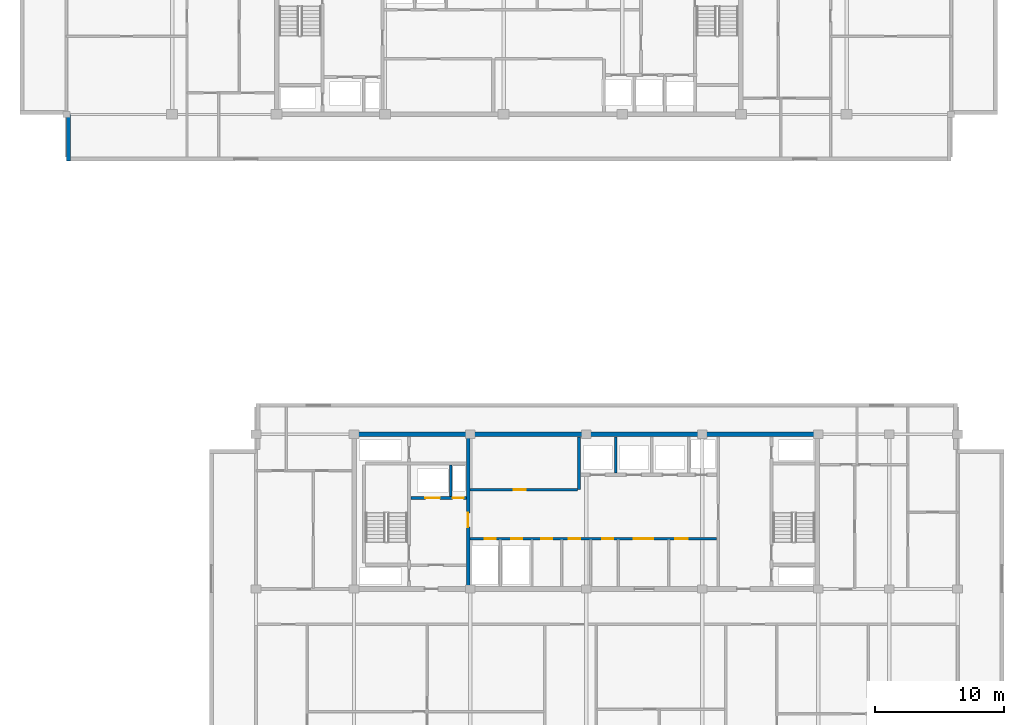
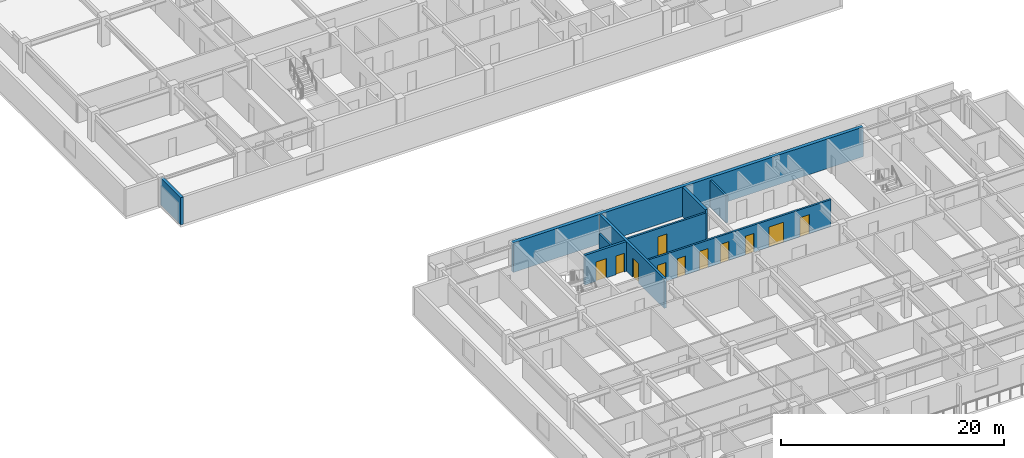
# One storey, part 7 of 22: 11 doors, 9 walls, 11 openings.
"""IFC4 building model written with IfcOpenShell, lengths in metres."""

from ifc_helpers import new_model, si_unit, direction, frame, frame_2d, origin, place, context, subcontext, project, spatial, rectangle, extrude, material, layer, layer_set, type_object, element, fill, save


model = new_model("IFC4")

# Units and contexts
model_context = context("Model", 3, precision=1e-05, world=origin(), true_north=direction((0.0, 1.0)))
body_context = subcontext(model_context, "Body", "Model", "MODEL_VIEW")
ifc_project = project(units=[si_unit("LENGTHUNIT", "METRE"), si_unit("AREAUNIT", "SQUARE_METRE"), si_unit("VOLUMEUNIT", "CUBIC_METRE"), si_unit("PLANEANGLEUNIT", "RADIAN"), si_unit("MASSUNIT", "GRAM", prefix="KILO")], contexts=[model_context])

# Site, building, storey
site_placement = place(None, origin())
site = spatial("IfcSite", under=ifc_project, at=site_placement, CompositionType="ELEMENT")
building_placement = place(site_placement, origin())
building = spatial("IfcBuilding", under=site, at=building_placement, Name="Korimba Cascade Residences", CompositionType="ELEMENT")
storey_placement = place(building_placement, frame((0.0, 0.0, 197.85009765625)))
storey = spatial("IfcBuildingStorey", under=building, at=storey_placement, Name="L57", CompositionType="ELEMENT", Elevation=197.85009765625)

# Walls
ifc_material_1 = material(Name="Precast concrete C40/50", Category="concrete")
ifc_layer_1 = layer(ifc_material_1, 0.300048828125)
ifc_layer_set_1 = layer_set([ifc_layer_1], Name="Precast concrete C40/50")
wall_type_1 = type_object("IfcWallType", Name="EW-STONE-300", PredefinedType="STANDARD", material=ifc_layer_set_1)
wall_1_placement = place(storey_placement, frame((59.949951171875, 55.199951171875, 0.0), z_axis=(0.0, 0.0, 1.0), x_axis=(0.0, -1.0, 0.0)))
element("IfcWall", 1, at=wall_1_placement, inside=storey, type_object=wall_type_1, Name="L57 T1 Perimeter Stone Wall E11", PredefinedType="STANDARD", context=body_context, shape_type="SweptSolid", body=[
    extrude(rectangle(XDim=3.599853515625, YDim=0.300048828125, at=frame_2d((1.7998046875, 0.0))), origin(), (0.0, 0.0, 1.0), 2.969970703125),
])
ifc_material_2 = material(Name="Concrete C65/80", Category="concrete")
ifc_layer_2 = layer(ifc_material_2, 0.35009765625)
ifc_layer_set_2 = layer_set([ifc_layer_2], Name="Concrete C65/80")
wall_type_2 = type_object("IfcWallType", Name="WAL-CORE-350", PredefinedType="SHEAR", material=ifc_layer_set_2)
wall_2_placement = place(storey_placement, frame((81.925048828125, 30.39990234375, 0.0), z_axis=(0.0, 0.0, 1.0), x_axis=(1.0, 0.0, 0.0)))
element("IfcWall", 2, at=wall_2_placement, inside=storey, type_object=wall_type_2, Name="L57 Core Shear Wall CW-L57-T2-N", PredefinedType="SHEAR", context=body_context, shape_type="SweptSolid", body=[
    extrude(rectangle(XDim=36.264892578125, YDim=0.35009765625, at=frame_2d((18.13232421875, 0.0))), origin(), (0.0, 0.0, 1.0), 3.25),
])
ifc_material_3 = material(Name="Concrete C40/50", Category="concrete")
ifc_layer_3 = layer(ifc_material_3, 0.199951171875)
ifc_layer_set_3 = layer_set([ifc_layer_3], Name="Concrete C40/50")
wall_type_3 = type_object("IfcWallType", Name="WAL-PART-200", PredefinedType="PARTITIONING", material=ifc_layer_set_3)
wall_3_placement = place(storey_placement, frame((89.60009765625, 25.580078125, 0.0), z_axis=(0.0, 0.0, 1.0), x_axis=(0.0, 1.0, 0.0)))
element("IfcWall", 3, at=wall_3_placement, inside=storey, type_object=wall_type_3, Name="L57 Partition Wall CW-L57-T2-FFLDIV", PredefinedType="PARTITIONING", context=body_context, shape_type="SweptSolid", body=[
    extrude(rectangle(XDim=2.419921875, YDim=0.199951171875, at=frame_2d((1.2099609375, 0.0))), origin(), (0.0, 0.0, 1.0), 2.969970703125),
])

# Wall, opening, door
wall_4_placement = place(storey_placement, frame((91.080078125, 26.10009765625, 0.0), z_axis=(0.0, 0.0, 1.0), x_axis=(1.0, 0.0, 0.0)))
wall_4 = element("IfcWall", 4, at=wall_4_placement, inside=storey, type_object=wall_type_3, Name="L57 Partition Wall CW-L57-T2-B1RS", PredefinedType="PARTITIONING", context=body_context, shape_type="SweptSolid", body=[
    extrude(rectangle(XDim=8.33984375, YDim=0.199951171875, at=frame_2d((4.169921875, 0.0))), origin(), (0.0, 0.0, 1.0), 2.969970703125),
])
opening_1_placement = place(wall_4_placement, frame((3.39990234375, 0.0, 0.0)))
opening_1 = element("IfcOpeningElement", 5, at=opening_1_placement, cuts=wall_4, Name="Opening D-ST1", PredefinedType="OPENING", context=body_context, shape_type="SweptSolid", body=[
    extrude(rectangle(XDim=0.919921875, YDim=2.080078125, at=frame_2d((0.4599609375, 1.0400390625))), frame((0.0, 0.10986328125, 0.0), z_axis=(0.0, -1.0, 0.0), x_axis=(1.0, 0.0, 0.0)), (0.0, 0.0, 1.0), 0.219970703125),
])
ifc_material_4 = material(Name="Fire-Rated Core Store Door", Category="wood")
door_type_1 = type_object("IfcDoorType", Name="DR-FD60-920", OperationType="NOTDEFINED", PredefinedType="DOOR", material=ifc_material_4)
door_1_placement = place(opening_1_placement, origin())
door_1 = element("IfcDoor", 6, at=door_1_placement, inside=storey, type_object=door_type_1, Name="L57 T2 Resident Storage Door", OperationType="SINGLE_SWING_RIGHT", OverallHeight=2.080078125, OverallWidth=0.919921875, PredefinedType="DOOR", context=body_context, shape_type="SweptSolid", body=[
    extrude(rectangle(XDim=0.919921875, YDim=2.080078125, at=frame_2d((0.4599609375, 1.0400390625))), frame((0.0, 0.02490234375, 0.0), z_axis=(0.0, -1.0, 0.0), x_axis=(1.0, 0.0, 0.0)), (0.0, 0.0, 1.0), 0.050048828125),
])
fill(opening_1, door_1)

# Wall
wall_5_placement = place(storey_placement, frame((102.39990234375, 27.3798828125, 0.0), z_axis=(0.0, 0.0, 1.0), x_axis=(0.0, 1.0, 0.0)))
element("IfcWall", 7, at=wall_5_placement, inside=storey, type_object=wall_type_3, Name="L57 Partition Wall CW-L57-T2-B2D1", PredefinedType="PARTITIONING", context=body_context, shape_type="SweptSolid", body=[
    extrude(rectangle(XDim=2.820068359375, YDim=0.199951171875, at=frame_2d((1.41015625, 0.0))), origin(), (0.0, 0.0, 1.0), 2.969970703125),
])

# Wall, openings, doors
wall_6_placement = place(storey_placement, frame((91.080078125, 22.300048828125, 0.0), z_axis=(0.0, 0.0, 1.0), x_axis=(1.0, 0.0, 0.0)))
wall_6 = element("IfcWall", 8, at=wall_6_placement, inside=storey, type_object=wall_type_3, Name="L57 Partition Wall CW-L57-T2-SRVROW", PredefinedType="PARTITIONING", context=body_context, shape_type="SweptSolid", body=[
    extrude(rectangle(XDim=19.139892578125, YDim=0.199951171875, at=frame_2d((9.56982421875, 0.0))), origin(), (0.0, 0.0, 1.0), 2.969970703125),
])
opening_2_placement = place(wall_6_placement, frame((1.14990234375, 0.0, 0.0)))
opening_2 = element("IfcOpeningElement", 9, at=opening_2_placement, cuts=wall_6, Name="Opening D-RS1", PredefinedType="OPENING", context=body_context, shape_type="SweptSolid", body=[
    extrude(rectangle(XDim=0.85009765625, YDim=2.050048828125, at=frame_2d((0.425048828125, 1.02490234375))), frame((0.0, 0.10986328125, 0.0), z_axis=(0.0, -1.0, 0.0), x_axis=(1.0, 0.0, 0.0)), (0.0, 0.0, 1.0), 0.219970703125),
])
opening_3_placement = place(wall_6_placement, frame((3.199951171875, 0.0, 0.0)))
opening_3 = element("IfcOpeningElement", 10, at=opening_3_placement, cuts=wall_6, Name="Opening D-RS1", PredefinedType="OPENING", context=body_context, shape_type="SweptSolid", body=[
    extrude(rectangle(XDim=0.85009765625, YDim=2.050048828125, at=frame_2d((0.425048828125, 1.02490234375))), frame((0.0, 0.10986328125, 0.0), z_axis=(0.0, -1.0, 0.0), x_axis=(1.0, 0.0, 0.0)), (0.0, 0.0, 1.0), 0.219970703125),
])
opening_4_placement = place(wall_6_placement, frame((12.719970703125, 0.0, 0.0)))
opening_4 = element("IfcOpeningElement", 11, at=opening_4_placement, cuts=wall_6, Name="Opening D-FD8", PredefinedType="OPENING", context=body_context, shape_type="SweptSolid", body=[
    extrude(rectangle(XDim=1.5, YDim=2.199951171875, at=frame_2d((0.75, 1.10009765625))), frame((0.0, 0.10986328125, 0.0), z_axis=(0.0, -1.0, 0.0), x_axis=(1.0, 0.0, 0.0)), (0.0, 0.0, 1.0), 0.219970703125),
])
opening_5_placement = place(wall_6_placement, frame((5.52001953125, 0.0, 0.0)))
opening_5 = element("IfcOpeningElement", 12, at=opening_5_placement, cuts=wall_6, Name="Opening D-IN2", PredefinedType="OPENING", context=body_context, shape_type="SweptSolid", body=[
    extrude(rectangle(XDim=0.8798828125, YDim=2.06005859375, at=frame_2d((0.43994140625, 1.030029296875))), frame((0.0, 0.10986328125, 0.0), z_axis=(0.0, -1.0, 0.0), x_axis=(1.0, 0.0, 0.0)), (0.0, 0.0, 1.0), 0.219970703125),
])
opening_6_placement = place(wall_6_placement, frame((7.669921875, 0.0, 0.0)))
opening_6 = element("IfcOpeningElement", 13, at=opening_6_placement, cuts=wall_6, Name="Opening D-IN2", PredefinedType="OPENING", context=body_context, shape_type="SweptSolid", body=[
    extrude(rectangle(XDim=0.8798828125, YDim=2.06005859375, at=frame_2d((0.43994140625, 1.030029296875))), frame((0.0, 0.10986328125, 0.0), z_axis=(0.0, -1.0, 0.0), x_axis=(1.0, 0.0, 0.0)), (0.0, 0.0, 1.0), 0.219970703125),
])
opening_7_placement = place(wall_6_placement, frame((10.27001953125, 0.0, 0.0)))
opening_7 = element("IfcOpeningElement", 14, at=opening_7_placement, cuts=wall_6, Name="Opening D-RS1", PredefinedType="OPENING", context=body_context, shape_type="SweptSolid", body=[
    extrude(rectangle(XDim=0.85009765625, YDim=2.050048828125, at=frame_2d((0.425048828125, 1.02490234375))), frame((0.0, 0.10986328125, 0.0), z_axis=(0.0, -1.0, 0.0), x_axis=(1.0, 0.0, 0.0)), (0.0, 0.0, 1.0), 0.219970703125),
])
opening_8_placement = place(wall_6_placement, frame((15.919921875, 0.0, 0.0)))
opening_8 = element("IfcOpeningElement", 15, at=opening_8_placement, cuts=wall_6, Name="Opening D-AC1", PredefinedType="OPENING", context=body_context, shape_type="SweptSolid", body=[
    extrude(rectangle(XDim=0.9599609375, YDim=2.10009765625, at=frame_2d((0.47998046875, 1.050048828125))), frame((0.0, 0.10986328125, 0.0), z_axis=(0.0, -1.0, 0.0), x_axis=(1.0, 0.0, 0.0)), (0.0, 0.0, 1.0), 0.219970703125),
])
ifc_material_5 = material(Name="Accessible Acoustic Timber WC Door", Category="wood")
door_type_2 = type_object("IfcDoorType", Name="DR-ACC-950", OperationType="NOTDEFINED", PredefinedType="DOOR", material=ifc_material_5)
door_2_placement = place(opening_8_placement, origin())
door_2 = element("IfcDoor", 16, at=door_2_placement, inside=storey, type_object=door_type_2, Name="L57 T2 Accessible Staff WC Door", OperationType="SINGLE_SWING_LEFT", OverallHeight=2.10009765625, OverallWidth=0.9599609375, PredefinedType="DOOR", context=body_context, shape_type="SweptSolid", body=[
    extrude(rectangle(XDim=0.9599609375, YDim=2.10009765625, at=frame_2d((0.47998046875, 1.050048828125))), frame((0.0, 0.02490234375, 0.0), z_axis=(0.0, -1.0, 0.0), x_axis=(1.0, 0.0, 0.0)), (0.0, 0.0, 1.0), 0.050048828125),
])
fill(opening_8, door_2)
ifc_material_6 = material(Name="Fire-Rated Steel Riser Access Door", Category="steel")
door_type_3 = type_object("IfcDoorType", Name="DR-FD60-850", OperationType="NOTDEFINED", PredefinedType="DOOR", material=ifc_material_6)
door_3_placement = place(opening_2_placement, origin())
door_3 = element("IfcDoor", 17, at=door_3_placement, inside=storey, type_object=door_type_3, Name="L57 T2 Electrical Riser Door", OperationType="SINGLE_SWING_RIGHT", OverallHeight=2.050048828125, OverallWidth=0.85009765625, PredefinedType="DOOR", context=body_context, shape_type="SweptSolid", body=[
    extrude(rectangle(XDim=0.85009765625, YDim=2.050048828125, at=frame_2d((0.425048828125, 1.02490234375))), frame((0.0, 0.02490234375, 0.0), z_axis=(0.0, -1.0, 0.0), x_axis=(1.0, 0.0, 0.0)), (0.0, 0.0, 1.0), 0.050048828125),
])
fill(opening_2, door_3)
door_4_placement = place(opening_3_placement, origin())
door_4 = element("IfcDoor", 18, at=door_4_placement, inside=storey, type_object=door_type_3, Name="L57 T2 Plumbing Riser Door", OperationType="SINGLE_SWING_LEFT", OverallHeight=2.050048828125, OverallWidth=0.85009765625, PredefinedType="DOOR", context=body_context, shape_type="SweptSolid", body=[
    extrude(rectangle(XDim=0.85009765625, YDim=2.050048828125, at=frame_2d((0.425048828125, 1.02490234375))), frame((0.0, 0.02490234375, 0.0), z_axis=(0.0, -1.0, 0.0), x_axis=(1.0, 0.0, 0.0)), (0.0, 0.0, 1.0), 0.050048828125),
])
fill(opening_3, door_4)
door_5_placement = place(opening_7_placement, origin())
door_5 = element("IfcDoor", 19, at=door_5_placement, inside=storey, type_object=door_type_3, Name="L57 T2 IT Room Door", OperationType="SINGLE_SWING_RIGHT", OverallHeight=2.050048828125, OverallWidth=0.85009765625, PredefinedType="DOOR", context=body_context, shape_type="SweptSolid", body=[
    extrude(rectangle(XDim=0.85009765625, YDim=2.050048828125, at=frame_2d((0.425048828125, 1.02490234375))), frame((0.0, 0.02490234375, 0.0), z_axis=(0.0, -1.0, 0.0), x_axis=(1.0, 0.0, 0.0)), (0.0, 0.0, 1.0), 0.050048828125),
])
fill(opening_7, door_5)
ifc_material_7 = material(Name="Fire-Rated Glazed Lift Lobby Double Door", Category="glass")
door_type_4 = type_object("IfcDoorType", Name="DR-FD90-1500", OperationType="NOTDEFINED", PredefinedType="DOOR", material=ifc_material_7)
door_6_placement = place(opening_4_placement, origin())
door_6 = element("IfcDoor", 20, at=door_6_placement, inside=storey, type_object=door_type_4, Name="L57 T2 Lift Lobby Foyer Door", OperationType="DOUBLE_DOOR_SINGLE_SWING", OverallHeight=2.199951171875, OverallWidth=1.5, PredefinedType="DOOR", context=body_context, shape_type="SweptSolid", body=[
    extrude(rectangle(XDim=1.5, YDim=2.199951171875, at=frame_2d((0.75, 1.10009765625))), frame((0.0, 0.02490234375, 0.0), z_axis=(0.0, -1.0, 0.0), x_axis=(1.0, 0.0, 0.0)), (0.0, 0.0, 1.0), 0.050048828125),
])
fill(opening_4, door_6)
ifc_material_8 = material(Name="Acoustic Timber Bedroom Door", Category="wood")
door_type_5 = type_object("IfcDoorType", Name="DR-INT-880", OperationType="NOTDEFINED", PredefinedType="DOOR", material=ifc_material_8)
door_7_placement = place(opening_5_placement, origin())
door_7 = element("IfcDoor", 21, at=door_7_placement, inside=storey, type_object=door_type_5, Name="L57 T2 Cleaners Door", OperationType="SINGLE_SWING_RIGHT", OverallHeight=2.06005859375, OverallWidth=0.8798828125, PredefinedType="DOOR", context=body_context, shape_type="SweptSolid", body=[
    extrude(rectangle(XDim=0.8798828125, YDim=2.06005859375, at=frame_2d((0.43994140625, 1.030029296875))), frame((0.0, 0.02490234375, 0.0), z_axis=(0.0, -1.0, 0.0), x_axis=(1.0, 0.0, 0.0)), (0.0, 0.0, 1.0), 0.050048828125),
])
fill(opening_5, door_7)
door_8_placement = place(opening_6_placement, origin())
door_8 = element("IfcDoor", 22, at=door_8_placement, inside=storey, type_object=door_type_5, Name="L57 T2 Pantry Door", OperationType="SINGLE_SWING_LEFT", OverallHeight=2.06005859375, OverallWidth=0.8798828125, PredefinedType="DOOR", context=body_context, shape_type="SweptSolid", body=[
    extrude(rectangle(XDim=0.8798828125, YDim=2.06005859375, at=frame_2d((0.43994140625, 1.030029296875))), frame((0.0, 0.02490234375, 0.0), z_axis=(0.0, -1.0, 0.0), x_axis=(1.0, 0.0, 0.0)), (0.0, 0.0, 1.0), 0.050048828125),
])
fill(opening_6, door_8)

ifc_material_9 = material(Name="Concrete C50/60", Category="concrete")
ifc_layer_4 = layer(ifc_material_9, 0.25)
ifc_layer_set_4 = layer_set([ifc_layer_4], Name="Concrete C50/60")
wall_type_4 = type_object("IfcWallType", Name="WAL-SHAFT-250", PredefinedType="SHEAR", material=ifc_layer_set_4)
wall_7_placement = place(storey_placement, frame((86.5, 25.449951171875, 0.0), z_axis=(0.0, 0.0, 1.0), x_axis=(1.0, 0.0, 0.0)))
wall_7 = element("IfcWall", 23, at=wall_7_placement, inside=storey, type_object=wall_type_4, Name="L57 Core Shear Wall CW-L57-T2-FFLN", PredefinedType="SHEAR", context=body_context, shape_type="SweptSolid", body=[
    extrude(rectangle(XDim=4.320068359375, YDim=0.25, at=frame_2d((2.16015625, 0.0))), origin(), (0.0, 0.0, 1.0), 3.25),
])
opening_9_placement = place(wall_7_placement, frame((1.139892578125, 0.0, 0.0)))
opening_9 = element("IfcOpeningElement", 24, at=opening_9_placement, cuts=wall_7, Name="Opening LD-01", PredefinedType="OPENING", context=body_context, shape_type="SweptSolid", body=[
    extrude(rectangle(XDim=1.1201171875, YDim=2.1201171875, at=frame_2d((0.56005859375, 1.06005859375))), frame((0.0, 0.135009765625, 0.0), z_axis=(0.0, -1.0, 0.0), x_axis=(1.0, 0.0, 0.0)), (0.0, 0.0, 1.0), 0.27001953125),
])
opening_10_placement = place(wall_7_placement, frame((3.25, 0.0, 0.0)))
opening_10 = element("IfcOpeningElement", 25, at=opening_10_placement, cuts=wall_7, Name="Opening D-RS1", PredefinedType="OPENING", context=body_context, shape_type="SweptSolid", body=[
    extrude(rectangle(XDim=0.85009765625, YDim=2.050048828125, at=frame_2d((0.425048828125, 1.02490234375))), frame((0.0, 0.135009765625, 0.0), z_axis=(0.0, -1.0, 0.0), x_axis=(1.0, 0.0, 0.0)), (0.0, 0.0, 1.0), 0.27001953125),
])
door_9_placement = place(opening_10_placement, origin())
door_9 = element("IfcDoor", 26, at=door_9_placement, inside=storey, type_object=door_type_3, Name="L57 T2 Pressurisation Riser Door", OperationType="SINGLE_SWING_LEFT", OverallHeight=2.050048828125, OverallWidth=0.85009765625, PredefinedType="DOOR", context=body_context, shape_type="SweptSolid", body=[
    extrude(rectangle(XDim=0.85009765625, YDim=2.050048828125, at=frame_2d((0.425048828125, 1.02490234375))), frame((0.0, 0.02490234375, 0.0), z_axis=(0.0, -1.0, 0.0), x_axis=(1.0, 0.0, 0.0)), (0.0, 0.0, 1.0), 0.050048828125),
])
fill(opening_10, door_9)
ifc_material_10 = material(Name="Stainless Steel Lift Landing Sliding Door", Category="steel")
door_type_6 = type_object("IfcDoorType", Name="DR-LIFT-1100", OperationType="NOTDEFINED", PredefinedType="DOOR", material=ifc_material_10)
door_10_placement = place(opening_9_placement, origin())
door_10 = element("IfcDoor", 27, at=door_10_placement, inside=storey, type_object=door_type_6, Name="L57 Firefighting Lift Landing Door FFL-E1", OperationType="SLIDING_TO_RIGHT", OverallHeight=2.1201171875, OverallWidth=1.1201171875, PredefinedType="DOOR", context=body_context, shape_type="SweptSolid", body=[
    extrude(rectangle(XDim=1.1201171875, YDim=2.1201171875, at=frame_2d((0.56005859375, 1.06005859375))), frame((0.0, 0.02490234375, 0.0), z_axis=(0.0, -1.0, 0.0), x_axis=(1.0, 0.0, 0.0)), (0.0, 0.0, 1.0), 0.050048828125),
])
fill(opening_9, door_10)

# Wall, opening, door
wall_8_placement = place(storey_placement, frame((90.949951171875, 18.60009765625, 0.0), z_axis=(0.0, 0.0, 1.0), x_axis=(0.0, 1.0, 0.0)))
wall_8 = element("IfcWall", 28, at=wall_8_placement, inside=storey, type_object=wall_type_4, Name="L57 Core Shear Wall CW-L57-T2-FFLE", PredefinedType="SHEAR", context=body_context, shape_type="SweptSolid", body=[
    extrude(rectangle(XDim=11.599853515625, YDim=0.25, at=frame_2d((5.7998046875, 0.0))), origin(), (0.0, 0.0, 1.0), 3.25),
])
opening_11_placement = place(wall_8_placement, frame((4.60009765625, 0.0, 0.0)))
opening_11 = element("IfcOpeningElement", 29, at=opening_11_placement, cuts=wall_8, Name="Opening D-FD1", PredefinedType="OPENING", context=body_context, shape_type="SweptSolid", body=[
    extrude(rectangle(XDim=1.10009765625, YDim=2.10009765625, at=frame_2d((0.550048828125, 1.050048828125))), frame((0.0, 0.135009765625, 0.0), z_axis=(0.0, -1.0, 0.0), x_axis=(1.0, 0.0, 0.0)), (0.0, 0.0, 1.0), 0.27001953125),
])
ifc_material_11 = material(Name="Fire-Rated Steel Core Door", Category="steel")
door_type_7 = type_object("IfcDoorType", Name="DR-FD120-1100", OperationType="NOTDEFINED", PredefinedType="DOOR", material=ifc_material_11)
door_11_placement = place(opening_11_placement, origin())
door_11 = element("IfcDoor", 30, at=door_11_placement, inside=storey, type_object=door_type_7, Name="L57 T2 Firefighting Lobby to Lift Lobby Door", OperationType="SINGLE_SWING_LEFT", OverallHeight=2.10009765625, OverallWidth=1.10009765625, PredefinedType="DOOR", context=body_context, shape_type="SweptSolid", body=[
    extrude(rectangle(XDim=1.10009765625, YDim=2.10009765625, at=frame_2d((0.550048828125, 1.050048828125))), frame((0.0, 0.02490234375, 0.0), z_axis=(0.0, -1.0, 0.0), x_axis=(1.0, 0.0, 0.0)), (0.0, 0.0, 1.0), 0.050048828125),
])
fill(opening_11, door_11)

# Wall
wall_9_placement = place(storey_placement, frame((99.550048828125, 26.10009765625, 0.0), z_axis=(0.0, 0.0, 1.0), x_axis=(0.0, 1.0, 0.0)))
element("IfcWall", 31, at=wall_9_placement, inside=storey, type_object=wall_type_4, Name="L57 Core Shear Wall CW-L57-T2-B12DIV", PredefinedType="SHEAR", context=body_context, shape_type="SweptSolid", body=[
    extrude(rectangle(XDim=4.099853515625, YDim=0.25, at=frame_2d((2.0498046875, 0.0))), origin(), (0.0, 0.0, 1.0), 3.25),
])

save(model, "model.ifc")
